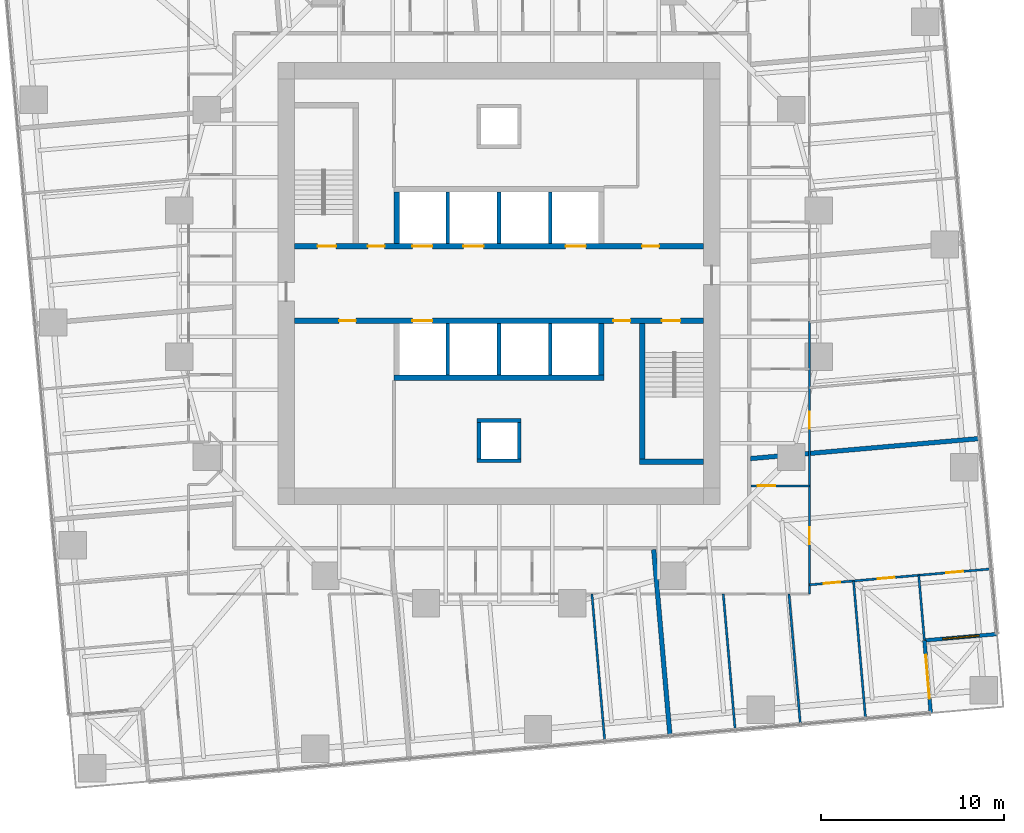
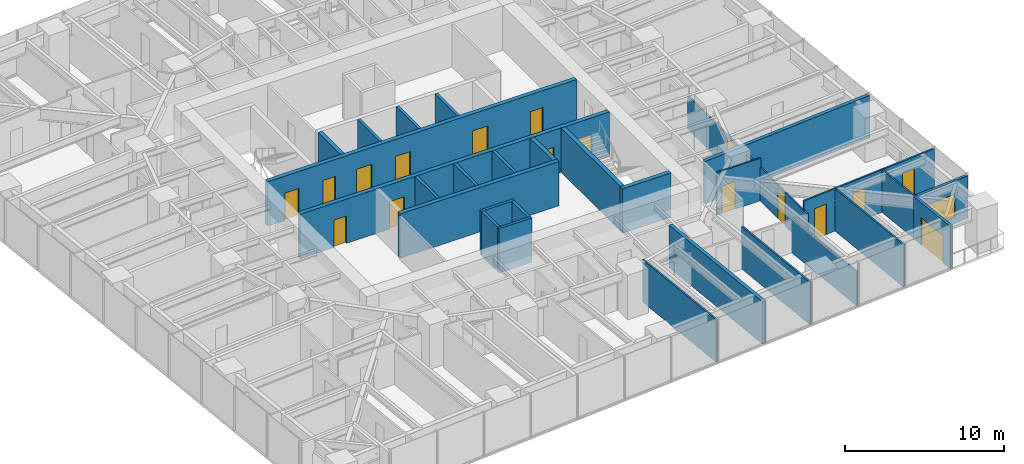
# One storey, part 10 of 14: 29 walls, 17 doors, 1 window, 18 openings.
"""IFC4 building model written with IfcOpenShell, lengths in metres."""

from ifc_helpers import new_model, si_unit, direction, frame, frame_2d, origin, place, context, subcontext, project, spatial, rectangle, extrude, material, layer, layer_set, type_object, element, fill, save


model = new_model("IFC4")

# Units and contexts
model_context = context("Model", 3, precision=1e-05, world=origin(), true_north=direction((0.0, 1.0)))
body_context = subcontext(model_context, "Body", "Model", "MODEL_VIEW")
ifc_project = project(units=[si_unit("LENGTHUNIT", "METRE"), si_unit("AREAUNIT", "SQUARE_METRE"), si_unit("VOLUMEUNIT", "CUBIC_METRE"), si_unit("PLANEANGLEUNIT", "RADIAN"), si_unit("MASSUNIT", "GRAM", prefix="KILO")], contexts=[model_context])

# Site, building, storey
site_placement = place(None, origin())
site = spatial("IfcSite", under=ifc_project, at=site_placement, CompositionType="ELEMENT")
building_placement = place(site_placement, origin())
building = spatial("IfcBuilding", under=site, at=building_placement, Name="Torsade Residences", CompositionType="ELEMENT")
storey_placement = place(building_placement, frame((0.0, 0.0, 47.199951171875)))
storey = spatial("IfcBuildingStorey", under=building, at=storey_placement, Name="L12", CompositionType="ELEMENT", Elevation=47.199951171875)

# Wall, openings, doors
ifc_material_1 = material(Name="Concrete 80 MPa", Category="concrete")
ifc_layer_1 = layer(ifc_material_1, 0.300048828125)
ifc_layer_set_1 = layer_set([ifc_layer_1], Name="Concrete 80 MPa")
wall_type_1 = type_object("IfcWallType", Name="CORE INTERNAL WALL 300", PredefinedType="SHEAR", material=ifc_layer_set_1)
wall_1_placement = place(storey_placement, frame((28.800048828125, 32.050048828125, 0.0), z_axis=(0.0, 0.0, 1.0), x_axis=(1.0, 0.0, 0.0)))
wall_1 = element("IfcWall", 1, at=wall_1_placement, inside=storey, type_object=wall_type_1, Name="Core wall LN L12", PredefinedType="SHEAR", context=body_context, shape_type="SweptSolid", body=[
    extrude(rectangle(XDim=22.39990234375, YDim=0.300048828125, at=frame_2d((11.199951171875, 0.0))), origin(), (0.0, 0.0, 1.0), 3.400146484375),
])
opening_1_placement = place(wall_1_placement, frame((19.0400390625, 0.0, 0.0)))
opening_1 = element("IfcOpeningElement", 2, at=opening_1_placement, cuts=wall_1, Name="Opening D06", PredefinedType="OPENING", context=body_context, shape_type="SweptSolid", body=[
    extrude(rectangle(XDim=0.919921875, YDim=2.10009765625, at=frame_2d((0.4599609375, 1.050048828125))), frame((0.0, 0.159912109375, 0.0), z_axis=(0.0, -1.0, 0.0), x_axis=(1.0, 0.0, 0.0)), (0.0, 0.0, 1.0), 0.320068359375),
])
opening_2_placement = place(wall_1_placement, frame((1.264892578125, 0.0, 0.0)))
opening_2 = element("IfcOpeningElement", 3, at=opening_2_placement, cuts=wall_1, Name="Opening D03", PredefinedType="OPENING", context=body_context, shape_type="SweptSolid", body=[
    extrude(rectangle(XDim=1.02001953125, YDim=2.10009765625, at=frame_2d((0.510009765625, 1.050048828125))), frame((0.0, 0.159912109375, 0.0), z_axis=(0.0, -1.0, 0.0), x_axis=(1.0, 0.0, 0.0)), (0.0, 0.0, 1.0), 0.320068359375),
])
opening_3_placement = place(wall_1_placement, frame((4.014892578125, 0.0, 0.0)))
opening_3 = element("IfcOpeningElement", 4, at=opening_3_placement, cuts=wall_1, Name="Opening D06", PredefinedType="OPENING", context=body_context, shape_type="SweptSolid", body=[
    extrude(rectangle(XDim=0.919921875, YDim=2.10009765625, at=frame_2d((0.4599609375, 1.050048828125))), frame((0.0, 0.159912109375, 0.0), z_axis=(0.0, -1.0, 0.0), x_axis=(1.0, 0.0, 0.0)), (0.0, 0.0, 1.0), 0.320068359375),
])
opening_4_placement = place(wall_1_placement, frame((6.449951171875, 0.0, 0.0)))
opening_4 = element("IfcOpeningElement", 5, at=opening_4_placement, cuts=wall_1, Name="Opening LD", PredefinedType="OPENING", context=body_context, shape_type="SweptSolid", body=[
    extrude(rectangle(XDim=1.10009765625, YDim=2.10009765625, at=frame_2d((0.550048828125, 1.050048828125))), frame((0.0, 0.159912109375, 0.0), z_axis=(0.0, -1.0, 0.0), x_axis=(1.0, 0.0, 0.0)), (0.0, 0.0, 1.0), 0.320068359375),
])
opening_5_placement = place(wall_1_placement, frame((9.25, 0.0, 0.0)))
opening_5 = element("IfcOpeningElement", 6, at=opening_5_placement, cuts=wall_1, Name="Opening LD", PredefinedType="OPENING", context=body_context, shape_type="SweptSolid", body=[
    extrude(rectangle(XDim=1.10009765625, YDim=2.10009765625, at=frame_2d((0.550048828125, 1.050048828125))), frame((0.0, 0.159912109375, 0.0), z_axis=(0.0, -1.0, 0.0), x_axis=(1.0, 0.0, 0.0)), (0.0, 0.0, 1.0), 0.320068359375),
])
opening_6_placement = place(wall_1_placement, frame((14.85009765625, 0.0, 0.0)))
opening_6 = element("IfcOpeningElement", 7, at=opening_6_placement, cuts=wall_1, Name="Opening LD", PredefinedType="OPENING", context=body_context, shape_type="SweptSolid", body=[
    extrude(rectangle(XDim=1.10009765625, YDim=2.10009765625, at=frame_2d((0.550048828125, 1.050048828125))), frame((0.0, 0.159912109375, 0.0), z_axis=(0.0, -1.0, 0.0), x_axis=(1.0, 0.0, 0.0)), (0.0, 0.0, 1.0), 0.320068359375),
])
ifc_material_2 = material(Name="Steel-framed fire door", Category="steel")
door_type_1 = type_object("IfcDoorType", Name="FIRE DOOR 1020", OperationType="NOTDEFINED", PredefinedType="DOOR", material=ifc_material_2)
door_1_placement = place(opening_2_placement, origin())
door_1 = element("IfcDoor", 8, at=door_1_placement, inside=storey, type_object=door_type_1, Name="Exit door to fire-isolated stair ST1 L12", OperationType="SINGLE_SWING_RIGHT", OverallHeight=2.10009765625, OverallWidth=1.02001953125, PredefinedType="DOOR", context=body_context, shape_type="SweptSolid", body=[
    extrude(rectangle(XDim=1.02001953125, YDim=2.10009765625, at=frame_2d((0.510009765625, 1.050048828125))), frame((0.0, 0.02490234375, 0.0), z_axis=(0.0, -1.0, 0.0), x_axis=(1.0, 0.0, 0.0)), (0.0, 0.0, 1.0), 0.050048828125),
])
fill(opening_2, door_1)
ifc_material_3 = material(Name="Steel-framed fire door", Category="steel")
door_type_2 = type_object("IfcDoorType", Name="FIRE DOOR 920", OperationType="NOTDEFINED", PredefinedType="DOOR", material=ifc_material_3)
door_2_placement = place(opening_1_placement, origin())
door_2 = element("IfcDoor", 9, at=door_2_placement, inside=storey, type_object=door_type_2, Name="Door Lift lobby to Refuse room", OperationType="SINGLE_SWING_LEFT", OverallHeight=2.10009765625, OverallWidth=0.919921875, PredefinedType="DOOR", context=body_context, shape_type="SweptSolid", body=[
    extrude(rectangle(XDim=0.919921875, YDim=2.10009765625, at=frame_2d((0.4599609375, 1.050048828125))), frame((0.0, 0.02490234375, 0.0), z_axis=(0.0, -1.0, 0.0), x_axis=(1.0, 0.0, 0.0)), (0.0, 0.0, 1.0), 0.050048828125),
])
fill(opening_1, door_2)
door_3_placement = place(opening_3_placement, origin())
door_3 = element("IfcDoor", 10, at=door_3_placement, inside=storey, type_object=door_type_2, Name="Door Lift lobby to Meter store", OperationType="SINGLE_SWING_LEFT", OverallHeight=2.10009765625, OverallWidth=0.919921875, PredefinedType="DOOR", context=body_context, shape_type="SweptSolid", body=[
    extrude(rectangle(XDim=0.919921875, YDim=2.10009765625, at=frame_2d((0.4599609375, 1.050048828125))), frame((0.0, 0.02490234375, 0.0), z_axis=(0.0, -1.0, 0.0), x_axis=(1.0, 0.0, 0.0)), (0.0, 0.0, 1.0), 0.050048828125),
])
fill(opening_3, door_3)
ifc_material_4 = material(Name="Stainless steel lift landing door", Category="steel")
door_type_3 = type_object("IfcDoorType", Name="LIFT LANDING DOOR 1100", OperationType="SLIDING_TO_LEFT", PredefinedType="DOOR", material=ifc_material_4)
door_4_placement = place(opening_4_placement, origin())
door_4 = element("IfcDoor", 11, at=door_4_placement, inside=storey, type_object=door_type_3, Name="Lift LA1 landing door L12", OperationType="SLIDING_TO_LEFT", OverallHeight=2.10009765625, OverallWidth=1.10009765625, PredefinedType="DOOR", context=body_context, shape_type="SweptSolid", body=[
    extrude(rectangle(XDim=1.10009765625, YDim=2.10009765625, at=frame_2d((0.550048828125, 1.050048828125))), frame((0.0, 0.02490234375, 0.0), z_axis=(0.0, -1.0, 0.0), x_axis=(1.0, 0.0, 0.0)), (0.0, 0.0, 1.0), 0.050048828125),
])
fill(opening_4, door_4)
door_5_placement = place(opening_5_placement, origin())
door_5 = element("IfcDoor", 12, at=door_5_placement, inside=storey, type_object=door_type_3, Name="Lift LA2 landing door L12", OperationType="SLIDING_TO_LEFT", OverallHeight=2.10009765625, OverallWidth=1.10009765625, PredefinedType="DOOR", context=body_context, shape_type="SweptSolid", body=[
    extrude(rectangle(XDim=1.10009765625, YDim=2.10009765625, at=frame_2d((0.550048828125, 1.050048828125))), frame((0.0, 0.02490234375, 0.0), z_axis=(0.0, -1.0, 0.0), x_axis=(1.0, 0.0, 0.0)), (0.0, 0.0, 1.0), 0.050048828125),
])
fill(opening_5, door_5)
door_6_placement = place(opening_6_placement, origin())
door_6 = element("IfcDoor", 13, at=door_6_placement, inside=storey, type_object=door_type_3, Name="Lift FL1 landing door L12", OperationType="SLIDING_TO_LEFT", OverallHeight=2.10009765625, OverallWidth=1.10009765625, PredefinedType="DOOR", context=body_context, shape_type="SweptSolid", body=[
    extrude(rectangle(XDim=1.10009765625, YDim=2.10009765625, at=frame_2d((0.550048828125, 1.050048828125))), frame((0.0, 0.02490234375, 0.0), z_axis=(0.0, -1.0, 0.0), x_axis=(1.0, 0.0, 0.0)), (0.0, 0.0, 1.0), 0.050048828125),
])
fill(opening_6, door_6)

wall_2_placement = place(storey_placement, frame((51.199951171875, 27.949951171875, 0.0), z_axis=(0.0, 0.0, 1.0), x_axis=(-1.0, 0.0, 0.0)))
wall_2 = element("IfcWall", 14, at=wall_2_placement, inside=storey, type_object=wall_type_1, Name="Core wall LS L12", PredefinedType="SHEAR", context=body_context, shape_type="SweptSolid", body=[
    extrude(rectangle(XDim=22.39990234375, YDim=0.300048828125, at=frame_2d((11.199951171875, 0.0))), origin(), (0.0, 0.0, 1.0), 3.400146484375),
])
opening_7_placement = place(wall_2_placement, frame((19.0400390625, 0.0, 0.0)))
opening_7 = element("IfcOpeningElement", 15, at=opening_7_placement, cuts=wall_2, Name="Opening D06", PredefinedType="OPENING", context=body_context, shape_type="SweptSolid", body=[
    extrude(rectangle(XDim=0.919921875, YDim=2.10009765625, at=frame_2d((0.4599609375, 1.050048828125))), frame((0.0, 0.159912109375, 0.0), z_axis=(0.0, -1.0, 0.0), x_axis=(1.0, 0.0, 0.0)), (0.0, 0.0, 1.0), 0.320068359375),
])
opening_8_placement = place(wall_2_placement, frame((1.264892578125, 0.0, 0.0)))
opening_8 = element("IfcOpeningElement", 16, at=opening_8_placement, cuts=wall_2, Name="Opening D03", PredefinedType="OPENING", context=body_context, shape_type="SweptSolid", body=[
    extrude(rectangle(XDim=1.02001953125, YDim=2.10009765625, at=frame_2d((0.510009765625, 1.050048828125))), frame((0.0, 0.159912109375, 0.0), z_axis=(0.0, -1.0, 0.0), x_axis=(1.0, 0.0, 0.0)), (0.0, 0.0, 1.0), 0.320068359375),
])
opening_9_placement = place(wall_2_placement, frame((4.014892578125, 0.0, 0.0)))
opening_9 = element("IfcOpeningElement", 17, at=opening_9_placement, cuts=wall_2, Name="Opening D06", PredefinedType="OPENING", context=body_context, shape_type="SweptSolid", body=[
    extrude(rectangle(XDim=0.919921875, YDim=2.10009765625, at=frame_2d((0.4599609375, 1.050048828125))), frame((0.0, 0.159912109375, 0.0), z_axis=(0.0, -1.0, 0.0), x_axis=(1.0, 0.0, 0.0)), (0.0, 0.0, 1.0), 0.320068359375),
])
opening_10_placement = place(wall_2_placement, frame((14.85009765625, 0.0, 0.0)))
opening_10 = element("IfcOpeningElement", 18, at=opening_10_placement, cuts=wall_2, Name="Opening LD", PredefinedType="OPENING", context=body_context, shape_type="SweptSolid", body=[
    extrude(rectangle(XDim=1.10009765625, YDim=2.10009765625, at=frame_2d((0.550048828125, 1.050048828125))), frame((0.0, 0.159912109375, 0.0), z_axis=(0.0, -1.0, 0.0), x_axis=(1.0, 0.0, 0.0)), (0.0, 0.0, 1.0), 0.320068359375),
])
door_7_placement = place(opening_8_placement, origin())
door_7 = element("IfcDoor", 19, at=door_7_placement, inside=storey, type_object=door_type_1, Name="Exit door to fire-isolated stair ST2 L12", OperationType="SINGLE_SWING_RIGHT", OverallHeight=2.10009765625, OverallWidth=1.02001953125, PredefinedType="DOOR", context=body_context, shape_type="SweptSolid", body=[
    extrude(rectangle(XDim=1.02001953125, YDim=2.10009765625, at=frame_2d((0.510009765625, 1.050048828125))), frame((0.0, 0.02490234375, 0.0), z_axis=(0.0, -1.0, 0.0), x_axis=(1.0, 0.0, 0.0)), (0.0, 0.0, 1.0), 0.050048828125),
])
fill(opening_8, door_7)
door_8_placement = place(opening_7_placement, origin())
door_8 = element("IfcDoor", 20, at=door_8_placement, inside=storey, type_object=door_type_2, Name="Door Lift lobby to Cleaner store", OperationType="SINGLE_SWING_LEFT", OverallHeight=2.10009765625, OverallWidth=0.919921875, PredefinedType="DOOR", context=body_context, shape_type="SweptSolid", body=[
    extrude(rectangle(XDim=0.919921875, YDim=2.10009765625, at=frame_2d((0.4599609375, 1.050048828125))), frame((0.0, 0.02490234375, 0.0), z_axis=(0.0, -1.0, 0.0), x_axis=(1.0, 0.0, 0.0)), (0.0, 0.0, 1.0), 0.050048828125),
])
fill(opening_7, door_8)
door_9_placement = place(opening_9_placement, origin())
door_9 = element("IfcDoor", 21, at=door_9_placement, inside=storey, type_object=door_type_2, Name="Door Lift lobby to Communications riser room", OperationType="SINGLE_SWING_RIGHT", OverallHeight=2.10009765625, OverallWidth=0.919921875, PredefinedType="DOOR", context=body_context, shape_type="SweptSolid", body=[
    extrude(rectangle(XDim=0.919921875, YDim=2.10009765625, at=frame_2d((0.4599609375, 1.050048828125))), frame((0.0, 0.02490234375, 0.0), z_axis=(0.0, -1.0, 0.0), x_axis=(1.0, 0.0, 0.0)), (0.0, 0.0, 1.0), 0.050048828125),
])
fill(opening_9, door_9)
door_10_placement = place(opening_10_placement, origin())
door_10 = element("IfcDoor", 22, at=door_10_placement, inside=storey, type_object=door_type_3, Name="Lift FL2 landing door L12", OperationType="SLIDING_TO_LEFT", OverallHeight=2.10009765625, OverallWidth=1.10009765625, PredefinedType="DOOR", context=body_context, shape_type="SweptSolid", body=[
    extrude(rectangle(XDim=1.10009765625, YDim=2.10009765625, at=frame_2d((0.550048828125, 1.050048828125))), frame((0.0, 0.02490234375, 0.0), z_axis=(0.0, -1.0, 0.0), x_axis=(1.0, 0.0, 0.0)), (0.0, 0.0, 1.0), 0.050048828125),
])
fill(opening_10, door_10)

# Walls
wall_3_placement = place(storey_placement, frame((45.75, 24.85009765625, 0.0), z_axis=(0.0, 0.0, 1.0), x_axis=(-1.0, 0.0, 0.0)))
element("IfcWall", 23, at=wall_3_placement, inside=storey, type_object=wall_type_1, Name="Core wall BS L12", PredefinedType="SHEAR", context=body_context, shape_type="SweptSolid", body=[
    extrude(rectangle(XDim=11.5, YDim=0.300048828125, at=frame_2d((5.75, 0.0))), origin(), (0.0, 0.0, 1.0), 3.400146484375),
])
for number, where, z_axis, x_axis, name in (
    (24, (34.39990234375, 32.199951171875, 0.0), (0.0, 0.0, 1.0), (0.0, 1.0, 0.0), "Core wall DN0 L12"),
    (25, (45.60009765625, 27.800048828125, 0.0), (0.0, 0.0, 1.0), (0.0, -1.0, 0.0), "Core wall DS0 L12"),
):
    element("IfcWall", number, at=place(storey_placement, frame(where, z_axis=z_axis, x_axis=x_axis)), inside=storey, type_object=wall_type_1, Name=name, PredefinedType="SHEAR", context=body_context, shape_type="SweptSolid", body=[
        extrude(rectangle(XDim=2.800048828125, YDim=0.300048828125, at=frame_2d((1.39990234375, 0.0))), origin(), (0.0, 0.0, 1.0), 3.400146484375),
    ])
wall_4_placement = place(storey_placement, frame((47.85009765625, 27.800048828125, 0.0), z_axis=(0.0, 0.0, 1.0), x_axis=(0.0, -1.0, 0.0)))
element("IfcWall", 26, at=wall_4_placement, inside=storey, type_object=wall_type_1, Name="Core wall ST2W L12", PredefinedType="SHEAR", context=body_context, shape_type="SweptSolid", body=[
    extrude(rectangle(XDim=7.699951171875, YDim=0.300048828125, at=frame_2d((3.85009765625, 0.0))), origin(), (0.0, 0.0, 1.0), 3.400146484375),
])
wall_5_placement = place(storey_placement, frame((51.199951171875, 20.25, 0.0), z_axis=(0.0, 0.0, 1.0), x_axis=(-1.0, 0.0, 0.0)))
element("IfcWall", 27, at=wall_5_placement, inside=storey, type_object=wall_type_1, Name="Core wall ST2S L12", PredefinedType="SHEAR", context=body_context, shape_type="SweptSolid", body=[
    extrude(rectangle(XDim=3.5, YDim=0.300048828125, at=frame_2d((1.75, 0.0))), origin(), (0.0, 0.0, 1.0), 3.400146484375),
])
ifc_material_5 = material(Name="Reinforced blockwork", Category="masonry")
ifc_layer_2 = layer(ifc_material_5, 0.199951171875)
ifc_layer_set_2 = layer_set([ifc_layer_2], Name="Reinforced blockwork")
wall_type_2 = type_object("IfcWallType", Name="LIFT SHAFT DIVIDING WALL 200", PredefinedType="SOLIDWALL", material=ifc_layer_set_2)
for number, where, z_axis, x_axis, name in (
    (28, (37.199951171875, 32.199951171875, 0.0), (0.0, 0.0, 1.0), (0.0, 1.0, 0.0), "Core wall DN1 L12"),
    (29, (42.800048828125, 27.800048828125, 0.0), (0.0, 0.0, 1.0), (0.0, -1.0, 0.0), "Core wall DS1 L12"),
    (30, (40.0, 32.199951171875, 0.0), (0.0, 0.0, 1.0), (0.0, 1.0, 0.0), "Core wall DN2 L12"),
    (31, (40.0, 27.800048828125, 0.0), (0.0, 0.0, 1.0), (0.0, -1.0, 0.0), "Core wall DS2 L12"),
    (32, (42.800048828125, 32.199951171875, 0.0), (0.0, 0.0, 1.0), (0.0, 1.0, 0.0), "Core wall DN3 L12"),
    (33, (37.199951171875, 27.800048828125, 0.0), (0.0, 0.0, 1.0), (0.0, -1.0, 0.0), "Core wall DS3 L12"),
):
    element("IfcWall", number, at=place(storey_placement, frame(where, z_axis=z_axis, x_axis=x_axis)), inside=storey, type_object=wall_type_2, Name=name, PredefinedType="SOLIDWALL", context=body_context, shape_type="SweptSolid", body=[
        extrude(rectangle(XDim=2.800048828125, YDim=0.199951171875, at=frame_2d((1.39990234375, 0.0))), origin(), (0.0, 0.0, 1.0), 3.400146484375),
    ])
ifc_material_6 = material(Name="Plasterboard on steel stud", Category="steel")
ifc_layer_3 = layer(ifc_material_6, 0.1201171875)
ifc_layer_set_3 = layer_set([ifc_layer_3], Name="Plasterboard on steel stud")
wall_type_3 = type_object("IfcWallType", Name="PARTITION 120", PredefinedType="PARTITIONING", material=ifc_layer_set_3)
wall_6_placement = place(storey_placement, frame((45.084228515625, 13.0, 0.0), z_axis=(0.0, 0.0, 1.0), x_axis=(0.087184938313, -0.99619214338, 0.0)))
element("IfcWall", 34, at=wall_6_placement, inside=storey, type_object=wall_type_3, Name="Partition L12", PredefinedType="PARTITIONING", context=body_context, shape_type="SweptSolid", body=[
    extrude(rectangle(XDim=8.08154296875, YDim=0.1201171875, at=frame_2d((4.040771484375, 0.0))), origin(), (0.0, 0.0, 1.0), 3.25),
])

# Wall, opening, door
wall_7_placement = place(storey_placement, frame((53.800048828125, 18.917724609375, 0.0), z_axis=(0.0, 0.0, 1.0), x_axis=(1.0, 0.0, 0.0)))
wall_7 = element("IfcWall", 35, at=wall_7_placement, inside=storey, type_object=wall_type_3, Name="Partition L12", PredefinedType="PARTITIONING", context=body_context, shape_type="SweptSolid", body=[
    extrude(rectangle(XDim=3.199951171875, YDim=0.1201171875, at=frame_2d((1.60009765625, 0.0))), origin(), (0.0, 0.0, 1.0), 3.25),
])
opening_11_placement = place(wall_7_placement, frame((0.3701171875, 0.0, 0.0)))
opening_11 = element("IfcOpeningElement", 36, at=opening_11_placement, cuts=wall_7, Name="Opening D05", PredefinedType="OPENING", context=body_context, shape_type="SweptSolid", body=[
    extrude(rectangle(XDim=0.9599609375, YDim=2.10009765625, at=frame_2d((0.47998046875, 1.050048828125))), frame((0.0, 0.070068359375, 0.0), z_axis=(0.0, -1.0, 0.0), x_axis=(1.0, 0.0, 0.0)), (0.0, 0.0, 1.0), 0.14013671875),
])
ifc_material_7 = material(Name="Hollow-core timber door in a steel cavity frame", Category="steel")
door_type_4 = type_object("IfcDoorType", Name="BATHROOM CAVITY SLIDING DOOR 960", OperationType="SLIDING_TO_LEFT", PredefinedType="DOOR", material=ifc_material_7)
door_11_placement = place(opening_11_placement, origin())
door_11 = element("IfcDoor", 37, at=door_11_placement, inside=storey, type_object=door_type_4, Name="Door Kitchen and dining to Bathroom", OperationType="SLIDING_TO_LEFT", OverallHeight=2.10009765625, OverallWidth=0.9599609375, PredefinedType="DOOR", context=body_context, shape_type="SweptSolid", body=[
    extrude(rectangle(XDim=0.9599609375, YDim=2.10009765625, at=frame_2d((0.47998046875, 1.050048828125))), frame((0.0, 0.02490234375, 0.0), z_axis=(0.0, -1.0, 0.0), x_axis=(1.0, 0.0, 0.0)), (0.0, 0.0, 1.0), 0.050048828125),
])
fill(opening_11, door_11)

# Wall, openings, doors
wall_8_placement = place(storey_placement, frame((57.0, 27.9404296875, 0.0), z_axis=(0.0, 0.0, 1.0), x_axis=(0.0, -1.0, 0.0)))
wall_8 = element("IfcWall", 38, at=wall_8_placement, inside=storey, type_object=wall_type_3, Name="Partition L12", PredefinedType="PARTITIONING", context=body_context, shape_type="SweptSolid", body=[
    extrude(rectangle(XDim=14.9404296875, YDim=0.1201171875, at=frame_2d((7.47021484375, 0.0))), origin(), (0.0, 0.0, 1.0), 2.550048828125),
])
opening_12_placement = place(wall_8_placement, frame((4.960693359375, 0.0, 0.0)))
opening_12 = element("IfcOpeningElement", 39, at=opening_12_placement, cuts=wall_8, Name="Opening D02", PredefinedType="OPENING", context=body_context, shape_type="SweptSolid", body=[
    extrude(rectangle(XDim=0.919921875, YDim=2.340087890625, at=frame_2d((0.4599609375, 1.169921875))), frame((0.0, 0.070068359375, 0.0), z_axis=(0.0, -1.0, 0.0), x_axis=(1.0, 0.0, 0.0)), (0.0, 0.0, 1.0), 0.14013671875),
])
opening_13_placement = place(wall_8_placement, frame((11.295654296875, 0.0, 0.0)))
opening_13 = element("IfcOpeningElement", 40, at=opening_13_placement, cuts=wall_8, Name="Opening D02", PredefinedType="OPENING", context=body_context, shape_type="SweptSolid", body=[
    extrude(rectangle(XDim=0.919921875, YDim=2.340087890625, at=frame_2d((0.4599609375, 1.169921875))), frame((0.0, 0.070068359375, 0.0), z_axis=(0.0, -1.0, 0.0), x_axis=(1.0, 0.0, 0.0)), (0.0, 0.0, 1.0), 0.14013671875),
])
ifc_material_8 = material(Name="Hollow-core timber door", Category="wood")
door_type_5 = type_object("IfcDoorType", Name="INTERNAL DOOR 920x2340", OperationType="NOTDEFINED", PredefinedType="DOOR", material=ifc_material_8)
door_12_placement = place(opening_12_placement, origin())
door_12 = element("IfcDoor", 41, at=door_12_placement, inside=storey, type_object=door_type_5, Name="Door Kitchen and dining to Living room", OperationType="SINGLE_SWING_LEFT", OverallHeight=2.340087890625, OverallWidth=0.919921875, PredefinedType="DOOR", context=body_context, shape_type="SweptSolid", body=[
    extrude(rectangle(XDim=0.919921875, YDim=2.340087890625, at=frame_2d((0.4599609375, 1.169921875))), frame((0.0, 0.02490234375, 0.0), z_axis=(0.0, -1.0, 0.0), x_axis=(1.0, 0.0, 0.0)), (0.0, 0.0, 1.0), 0.050048828125),
])
fill(opening_12, door_12)
door_13_placement = place(opening_13_placement, origin())
door_13 = element("IfcDoor", 42, at=door_13_placement, inside=storey, type_object=door_type_5, Name="Door Kitchen and dining to Living room", OperationType="SINGLE_SWING_RIGHT", OverallHeight=2.340087890625, OverallWidth=0.919921875, PredefinedType="DOOR", context=body_context, shape_type="SweptSolid", body=[
    extrude(rectangle(XDim=0.919921875, YDim=2.340087890625, at=frame_2d((0.4599609375, 1.169921875))), frame((0.0, 0.02490234375, 0.0), z_axis=(0.0, -1.0, 0.0), x_axis=(1.0, 0.0, 0.0)), (0.0, 0.0, 1.0), 0.050048828125),
])
fill(opening_13, door_13)

wall_9_placement = place(storey_placement, frame((66.924560546875, 14.37060546875, 0.0), z_axis=(0.0, 0.0, 1.0), x_axis=(-0.996193637696, -0.087167862274, 0.0)))
wall_9 = element("IfcWall", 43, at=wall_9_placement, inside=storey, type_object=wall_type_3, Name="Partition L12", PredefinedType="PARTITIONING", context=body_context, shape_type="SweptSolid", body=[
    extrude(rectangle(XDim=9.96240234375, YDim=0.1201171875, at=frame_2d((4.981201171875, 0.0))), origin(), (0.0, 0.0, 1.0), 3.25),
])
opening_14_placement = place(wall_9_placement, frame((1.525146484375, 0.0, 0.0)))
opening_14 = element("IfcOpeningElement", 44, at=opening_14_placement, cuts=wall_9, Name="Opening D02", PredefinedType="OPENING", context=body_context, shape_type="SweptSolid", body=[
    extrude(rectangle(XDim=0.919921875, YDim=2.340087890625, at=frame_2d((0.4599609375, 1.169921875))), frame((0.0, 0.070068359375, 0.0), z_axis=(0.0, -1.0, 0.0), x_axis=(1.0, 0.0, 0.0)), (0.0, 0.0, 1.0), 0.14013671875),
])
opening_15_placement = place(wall_9_placement, frame((5.291748046875, 0.0, 0.0)))
opening_15 = element("IfcOpeningElement", 45, at=opening_15_placement, cuts=wall_9, Name="Opening D02", PredefinedType="OPENING", context=body_context, shape_type="SweptSolid", body=[
    extrude(rectangle(XDim=0.919921875, YDim=2.340087890625, at=frame_2d((0.4599609375, 1.169921875))), frame((0.0, 0.070068359375, 0.0), z_axis=(0.0, -1.0, 0.0), x_axis=(1.0, 0.0, 0.0)), (0.0, 0.0, 1.0), 0.14013671875),
])
opening_16_placement = place(wall_9_placement, frame((8.267822265625, 0.0, 0.0)))
opening_16 = element("IfcOpeningElement", 46, at=opening_16_placement, cuts=wall_9, Name="Opening D02", PredefinedType="OPENING", context=body_context, shape_type="SweptSolid", body=[
    extrude(rectangle(XDim=0.919921875, YDim=2.340087890625, at=frame_2d((0.4599609375, 1.169921875))), frame((0.0, 0.070068359375, 0.0), z_axis=(0.0, -1.0, 0.0), x_axis=(1.0, 0.0, 0.0)), (0.0, 0.0, 1.0), 0.14013671875),
])
door_14_placement = place(opening_14_placement, origin())
door_14 = element("IfcDoor", 47, at=door_14_placement, inside=storey, type_object=door_type_5, Name="Door Living room to Media room", OperationType="SINGLE_SWING_RIGHT", OverallHeight=2.340087890625, OverallWidth=0.919921875, PredefinedType="DOOR", context=body_context, shape_type="SweptSolid", body=[
    extrude(rectangle(XDim=0.919921875, YDim=2.340087890625, at=frame_2d((0.4599609375, 1.169921875))), frame((0.0, 0.02490234375, 0.0), z_axis=(0.0, -1.0, 0.0), x_axis=(1.0, 0.0, 0.0)), (0.0, 0.0, 1.0), 0.050048828125),
])
fill(opening_14, door_14)
door_15_placement = place(opening_15_placement, origin())
door_15 = element("IfcDoor", 48, at=door_15_placement, inside=storey, type_object=door_type_5, Name="Door Living room to Bedroom 2", OperationType="SINGLE_SWING_LEFT", OverallHeight=2.340087890625, OverallWidth=0.919921875, PredefinedType="DOOR", context=body_context, shape_type="SweptSolid", body=[
    extrude(rectangle(XDim=0.919921875, YDim=2.340087890625, at=frame_2d((0.4599609375, 1.169921875))), frame((0.0, 0.02490234375, 0.0), z_axis=(0.0, -1.0, 0.0), x_axis=(1.0, 0.0, 0.0)), (0.0, 0.0, 1.0), 0.050048828125),
])
fill(opening_15, door_15)
door_16_placement = place(opening_16_placement, origin())
door_16 = element("IfcDoor", 49, at=door_16_placement, inside=storey, type_object=door_type_5, Name="Door Living room to Study", OperationType="SINGLE_SWING_LEFT", OverallHeight=2.340087890625, OverallWidth=0.919921875, PredefinedType="DOOR", context=body_context, shape_type="SweptSolid", body=[
    extrude(rectangle(XDim=0.919921875, YDim=2.340087890625, at=frame_2d((0.4599609375, 1.169921875))), frame((0.0, 0.02490234375, 0.0), z_axis=(0.0, -1.0, 0.0), x_axis=(1.0, 0.0, 0.0)), (0.0, 0.0, 1.0), 0.050048828125),
])
fill(opening_16, door_16)

# Walls
wall_10_placement = place(storey_placement, frame((52.2783203125, 13.0, 0.0), z_axis=(0.0, 0.0, 1.0), x_axis=(0.087148261987, -0.996195352545, 0.0)))
element("IfcWall", 50, at=wall_10_placement, inside=storey, type_object=wall_type_3, Name="Partition L12", PredefinedType="PARTITIONING", context=body_context, shape_type="SweptSolid", body=[
    extrude(rectangle(XDim=7.45458984375, YDim=0.1201171875, at=frame_2d((3.727294921875, 0.0))), origin(), (0.0, 0.0, 1.0), 3.25),
])
wall_11_placement = place(storey_placement, frame((60.0673828125, 6.198486328125, 0.0), z_axis=(0.0, 0.0, 1.0), x_axis=(-0.087161730761, 0.99619417419, 0.0)))
element("IfcWall", 51, at=wall_11_placement, inside=storey, type_object=wall_type_3, Name="Partition L12", PredefinedType="PARTITIONING", context=body_context, shape_type="SweptSolid", body=[
    extrude(rectangle(XDim=7.543212890625, YDim=0.1201171875, at=frame_2d((3.771484375, 0.0))), origin(), (0.0, 0.0, 1.0), 3.25),
])
wall_12_placement = place(storey_placement, frame((62.979736328125, 14.025390625, 0.0), z_axis=(0.0, 0.0, 1.0), x_axis=(0.087161821847, -0.996194166221, 0.0)))
element("IfcWall", 52, at=wall_12_placement, inside=storey, type_object=wall_type_3, Name="Partition L12", PredefinedType="PARTITIONING", context=body_context, shape_type="SweptSolid", body=[
    extrude(rectangle(XDim=3.543212890625, YDim=0.1201171875, at=frame_2d((1.771484375, 0.0))), origin(), (0.0, 0.0, 1.0), 3.25),
])
wall_13_placement = place(storey_placement, frame((56.497802734375, 5.88623046875, 0.0), z_axis=(0.0, 0.0, 1.0), x_axis=(-0.087147441029, 0.996195424363, 0.0)))
element("IfcWall", 53, at=wall_13_placement, inside=storey, type_object=wall_type_3, Name="Partition L12", PredefinedType="PARTITIONING", context=body_context, shape_type="SweptSolid", body=[
    extrude(rectangle(XDim=7.140869140625, YDim=0.1201171875, at=frame_2d((3.5703125, 0.0))), origin(), (0.0, 0.0, 1.0), 2.637939453125),
])
ifc_material_9 = material(Name="Masonry-lined stud party wall", Category="masonry")
ifc_layer_4 = layer(ifc_material_9, 0.25)
ifc_layer_set_4 = layer_set([ifc_layer_4], Name="Masonry-lined stud party wall")
wall_type_4 = type_object("IfcWallType", Name="PARTY WALL 250", PredefinedType="PARTITIONING", material=ifc_layer_set_4)
wall_14_placement = place(storey_placement, frame((49.36181640625, 5.2216796875, 0.0), z_axis=(0.0, 0.0, 1.0), x_axis=(-0.087160151988, 0.996194312323, 0.0)))
element("IfcWall", 54, at=wall_14_placement, inside=storey, type_object=wall_type_4, Name="Party wall L12", PredefinedType="PARTITIONING", context=body_context, shape_type="SweptSolid", body=[
    extrude(rectangle(XDim=10.246337890625, YDim=0.25, at=frame_2d((5.123046875, 0.0))), origin(), (0.0, 0.0, 1.0), 3.25),
])
wall_15_placement = place(storey_placement, frame((66.33984375, 21.513427734375, 0.0), z_axis=(0.0, 0.0, 1.0), x_axis=(-0.996194851608, -0.087153988028, 0.0)))
element("IfcWall", 55, at=wall_15_placement, inside=storey, type_object=wall_type_4, Name="Party wall L12", PredefinedType="PARTITIONING", context=body_context, shape_type="SweptSolid", body=[
    extrude(rectangle(XDim=12.616943359375, YDim=0.25, at=frame_2d((6.30859375, 0.0))), origin(), (0.0, 0.0, 1.0), 3.25),
])
ifc_material_10 = material(Name="Reinforced blockwork", Category="masonry")
ifc_layer_5 = layer(ifc_material_10, 0.199951171875)
ifc_layer_set_5 = layer_set([ifc_layer_5], Name="Reinforced blockwork")
wall_type_5 = type_object("IfcWallType", Name="RISER SHAFT WALL 200", PredefinedType="SOLIDWALL", material=ifc_layer_set_5)
for number, where, z_axis, x_axis, name in (
    (56, (38.89990234375, 22.39990234375, 0.0), (0.0, 0.0, 1.0), (0.0, -1.0, 0.0), "Core wall RS2a L12"),
    (57, (41.10009765625, 22.39990234375, 0.0), (0.0, 0.0, 1.0), (0.0, -1.0, 0.0), "Core wall RS2b L12"),
):
    element("IfcWall", number, at=place(storey_placement, frame(where, z_axis=z_axis, x_axis=x_axis)), inside=storey, type_object=wall_type_5, Name=name, PredefinedType="SOLIDWALL", context=body_context, shape_type="SweptSolid", body=[
        extrude(rectangle(XDim=2.0, YDim=0.199951171875, at=frame_2d((1.0, 0.0))), origin(), (0.0, 0.0, 1.0), 3.400146484375),
    ])
for number, where, z_axis, x_axis, name in (
    (58, (38.800048828125, 22.5, 0.0), (0.0, 0.0, 1.0), (1.0, 0.0, 0.0), "Core wall RS2c L12"),
    (59, (38.800048828125, 20.300048828125, 0.0), (0.0, 0.0, 1.0), (1.0, 0.0, 0.0), "Core wall RS2d L12"),
):
    element("IfcWall", number, at=place(storey_placement, frame(where, z_axis=z_axis, x_axis=x_axis)), inside=storey, type_object=wall_type_5, Name=name, PredefinedType="SOLIDWALL", context=body_context, shape_type="SweptSolid", body=[
        extrude(rectangle(XDim=2.39990234375, YDim=0.199951171875, at=frame_2d((1.199951171875, 0.0))), origin(), (0.0, 0.0, 1.0), 3.400146484375),
    ])

# Wall, opening, door
ifc_material_11 = material(Name="Stone-faced precast concrete 40 MPa panel", Category="masonry")
ifc_layer_6 = layer(ifc_material_11, 0.199951171875)
ifc_layer_set_6 = layer_set([ifc_layer_6], Name="Stone-faced precast concrete 40 MPa panel")
wall_type_6 = type_object("IfcWallType", Name="TERRACE WALL 200", PredefinedType="SOLIDWALL", material=ifc_layer_set_6)
wall_16_placement = place(storey_placement, frame((63.640625, 6.470947265625, 0.0), z_axis=(0.0, 0.0, 1.0), x_axis=(-0.087161650072, 0.99619418125, 0.0)))
wall_16 = element("IfcWall", 60, at=wall_16_placement, inside=storey, type_object=wall_type_6, Name="Terrace wall L12 2", PredefinedType="SOLIDWALL", context=body_context, shape_type="SweptSolid", body=[
    extrude(rectangle(XDim=3.999755859375, YDim=0.199951171875, at=frame_2d((2.0, 0.0))), origin(), (0.0, 0.0, 1.0), 3.25),
])
opening_17_placement = place(wall_16_placement, frame((0.800048828125, 0.0, 0.0)))
opening_17 = element("IfcOpeningElement", 61, at=opening_17_placement, cuts=wall_16, Name="Opening D10A", PredefinedType="OPENING", context=body_context, shape_type="SweptSolid", body=[
    extrude(rectangle(XDim=2.39990234375, YDim=2.10009765625, at=frame_2d((1.199951171875, 1.050048828125))), frame((0.0, 0.10986328125, 0.0), z_axis=(0.0, -1.0, 0.0), x_axis=(1.0, 0.0, 0.0)), (0.0, 0.0, 1.0), 0.219970703125),
])
ifc_material_12 = material(Name="Aluminium-framed glass door", Category="aluminium")
door_type_6 = type_object("IfcDoorType", Name="TERRACE SLIDING DOOR 2400x2100", OperationType="SLIDING_TO_LEFT", PredefinedType="DOOR", material=ifc_material_12)
door_17_placement = place(opening_17_placement, origin())
door_17 = element("IfcDoor", 62, at=door_17_placement, inside=storey, type_object=door_type_6, Name="Terrace door L12 2", OperationType="SLIDING_TO_LEFT", OverallHeight=2.10009765625, OverallWidth=2.39990234375, PredefinedType="DOOR", context=body_context, shape_type="SweptSolid", body=[
    extrude(rectangle(XDim=2.39990234375, YDim=2.10009765625, at=frame_2d((1.199951171875, 1.050048828125))), frame((0.0, 0.02490234375, 0.0), z_axis=(0.0, -1.0, 0.0), x_axis=(1.0, 0.0, 0.0)), (0.0, 0.0, 1.0), 0.050048828125),
])
fill(opening_17, door_17)

# Wall, opening, window
wall_17_placement = place(storey_placement, frame((63.2919921875, 10.45556640625, 0.0), z_axis=(0.0, 0.0, 1.0), x_axis=(0.99619464492, 0.087156350505, 0.0)))
wall_17 = element("IfcWall", 63, at=wall_17_placement, inside=storey, type_object=wall_type_6, Name="Terrace wall L12 3", PredefinedType="SOLIDWALL", context=body_context, shape_type="SweptSolid", body=[
    extrude(rectangle(XDim=4.0, YDim=0.199951171875, at=frame_2d((2.0, 0.0))), origin(), (0.0, 0.0, 1.0), 3.25),
])
opening_18_placement = place(wall_17_placement, frame((1.0, 0.0, 0.449951171875)))
opening_18 = element("IfcOpeningElement", 64, at=opening_18_placement, cuts=wall_17, Name="Opening W1B", PredefinedType="OPENING", context=body_context, shape_type="SweptSolid", body=[
    extrude(rectangle(XDim=2.0, YDim=1.800048828125, at=frame_2d((1.0, 0.89990234375))), frame((0.0, 0.10986328125, 0.0), z_axis=(0.0, -1.0, 0.0), x_axis=(1.0, 0.0, 0.0)), (0.0, 0.0, 1.0), 0.219970703125),
])
ifc_material_13 = material(Name="Aluminium-framed glass window", Category="aluminium")
window_type = type_object("IfcWindowType", Name="TERRACE WINDOW 2000x1800", PartitioningType="SINGLE_PANEL", PredefinedType="WINDOW", material=ifc_material_13)
window_placement = place(opening_18_placement, origin())
window = element("IfcWindow", 65, at=window_placement, inside=storey, type_object=window_type, Name="Terrace window L12 3", OverallHeight=1.800048828125, OverallWidth=2.0, PartitioningType="SINGLE_PANEL", PredefinedType="WINDOW", context=body_context, shape_type="SweptSolid", body=[
    extrude(rectangle(XDim=2.0, YDim=1.800048828125, at=frame_2d((1.0, 0.89990234375))), frame((0.0, 0.030029296875, 0.0), z_axis=(0.0, -1.0, 0.0), x_axis=(1.0, 0.0, 0.0)), (0.0, 0.0, 1.0), 0.06005859375),
])
fill(opening_18, window)

save(model, "model.ifc")
